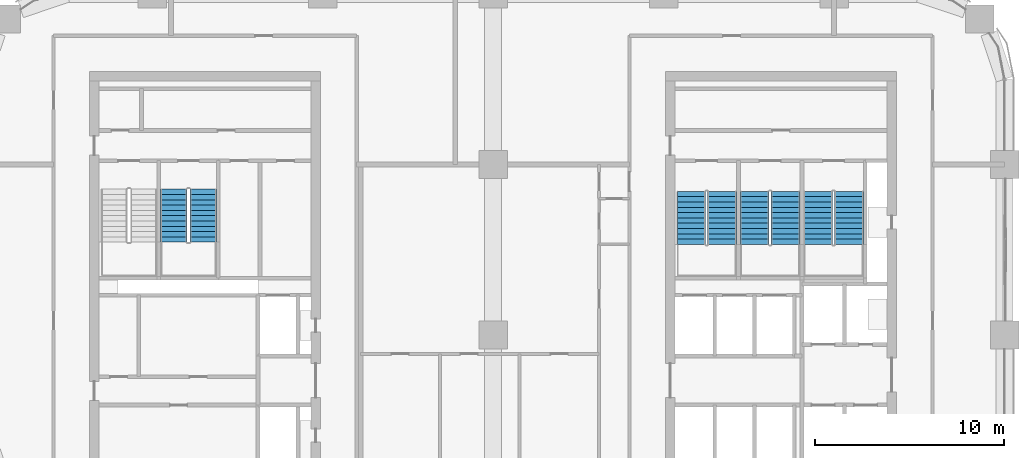
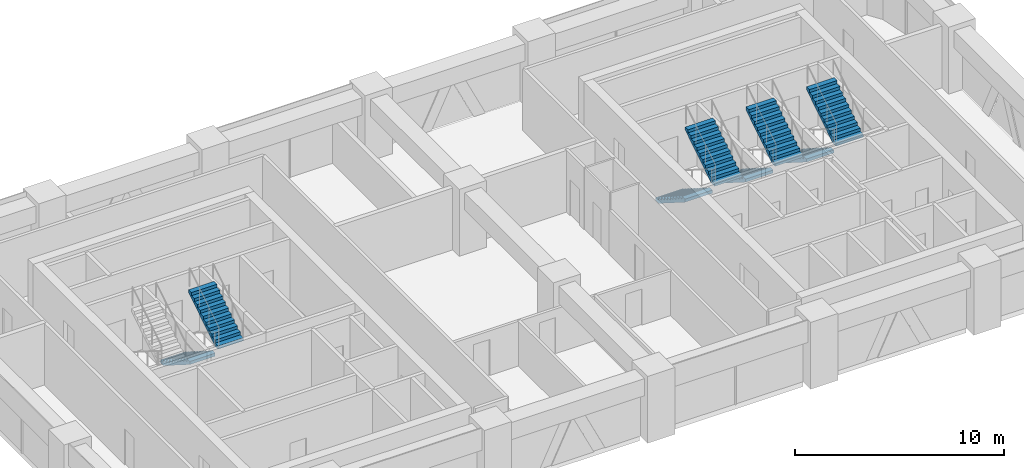
# One storey, part 12 of 19: 8 stair flights, 4 elements without a shape of their own.
"""IFC4 building model written with IfcOpenShell, lengths in metres."""

from ifc_helpers import new_model, si_unit, direction, frame, origin, place, context, subcontext, project, spatial, polyline, outline, extrude, material, type_object, element, aggregate, save


model = new_model("IFC4")

# Units and contexts
model_context = context("Model", 3, precision=1e-05, world=origin(), true_north=direction((0.0, 1.0)))
body_context = subcontext(model_context, "Body", "Model", "MODEL_VIEW")
ifc_project = project(units=[si_unit("LENGTHUNIT", "METRE"), si_unit("AREAUNIT", "SQUARE_METRE"), si_unit("VOLUMEUNIT", "CUBIC_METRE"), si_unit("PLANEANGLEUNIT", "RADIAN"), si_unit("MASSUNIT", "GRAM", prefix="KILO")], contexts=[model_context])

# Site, building, storey
site_placement = place(None, origin())
site = spatial("IfcSite", under=ifc_project, at=site_placement, CompositionType="ELEMENT")
building_placement = place(site_placement, origin())
building = spatial("IfcBuilding", under=site, at=building_placement, Name="Tessera Arch", CompositionType="ELEMENT")
storey_placement = place(building_placement, frame((0.0, 0.0, 170.0)))
storey = spatial("IfcBuildingStorey", under=building, at=storey_placement, Name="L40", CompositionType="ELEMENT", Elevation=170.0)

# Stair, stair flights
ifc_material_1 = material(Name="Concrete C40/50", Category="concrete")
stair_type_1 = type_object("IfcStairType", Name="Dogleg stair 1400", PredefinedType="HALF_TURN_STAIR", material=ifc_material_1)
stair_1_placement = place(storey_placement, origin())
stair_1 = element("IfcStair", 1, at=stair_1_placement, inside=storey, type_object=stair_type_1, Name="L40 S2b", PredefinedType="HALF_TURN_STAIR")
ifc_material_2 = material(Name="Concrete C40/50", Category="concrete")
stair_flight_type_1 = type_object("IfcStairFlightType", Name="Stair flight 1400", PredefinedType="STRAIGHT", material=ifc_material_2)
stair_flight_1_placement = place(storey_placement, frame((10.14990234375, 43.699951171875, 0.0), z_axis=(0.0, 0.0, 1.0), x_axis=(0.0, -1.0, 0.0)))
stair_flight_1 = element("IfcStairFlight", 2, at=stair_flight_1_placement, type_object=stair_flight_type_1, Name="S2b flight 1", NumberOfRisers=11, NumberOfTreads=10, PredefinedType="STRAIGHT", RiserHeight=0.177272727, TreadLength=0.28, context=body_context, shape_type="SweptSolid", body=[
    extrude(outline(polyline([(0.0, 0.0), (0.0, 0.17724609375), (0.280029296875, 0.17724609375), (0.280029296875, 0.3544921875), (0.56005859375, 0.3544921875), (0.56005859375, 0.53173828125), (0.840087890625, 0.53173828125), (0.840087890625, 0.708984375), (1.1201171875, 0.708984375), (1.1201171875, 0.886474609375), (1.39990234375, 0.886474609375), (1.39990234375, 1.063720703125), (1.679931640625, 1.063720703125), (1.679931640625, 1.240966796875), (1.9599609375, 1.240966796875), (1.9599609375, 1.418212890625), (2.239990234375, 1.418212890625), (2.239990234375, 1.595458984375), (2.52001953125, 1.595458984375), (2.52001953125, 1.772705078125), (2.800048828125, 1.772705078125), (2.800048828125, 1.949951171875), (2.800048828125, 1.59521484375), (0.2802734375, 0.0), (0.0, 0.0)])), frame((0.0, 0.699951171875, 0.0), z_axis=(0.0, -1.0, 0.0), x_axis=(1.0, 0.0, 0.0)), (0.0, 0.0, 1.0), 1.39990234375),
])
stair_flight_2_placement = place(storey_placement, frame((11.699951171875, 40.89990234375, 1.949951171875), z_axis=(0.0, 0.0, 1.0), x_axis=(0.0, 1.0, 0.0)))
stair_flight_2 = element("IfcStairFlight", 3, at=stair_flight_2_placement, type_object=stair_flight_type_1, Name="S2b flight 2", NumberOfRisers=11, NumberOfTreads=10, PredefinedType="STRAIGHT", RiserHeight=0.177272727, TreadLength=0.28, context=body_context, shape_type="SweptSolid", body=[
    extrude(outline(polyline([(0.0, 0.0), (0.0, 0.17724609375), (0.280029296875, 0.17724609375), (0.280029296875, 0.3544921875), (0.56005859375, 0.3544921875), (0.56005859375, 0.53173828125), (0.840087890625, 0.53173828125), (0.840087890625, 0.708984375), (1.1201171875, 0.708984375), (1.1201171875, 0.886474609375), (1.39990234375, 0.886474609375), (1.39990234375, 1.063720703125), (1.679931640625, 1.063720703125), (1.679931640625, 1.240966796875), (1.9599609375, 1.240966796875), (1.9599609375, 1.418212890625), (2.239990234375, 1.418212890625), (2.239990234375, 1.595458984375), (2.52001953125, 1.595458984375), (2.52001953125, 1.772705078125), (2.800048828125, 1.772705078125), (2.800048828125, 1.949951171875), (2.800048828125, 1.59521484375), (0.2802734375, 0.0), (0.0, 0.0)])), frame((0.0, 0.699951171875, 0.0), z_axis=(0.0, -1.0, 0.0), x_axis=(1.0, 0.0, 0.0)), (0.0, 0.0, 1.0), 1.39990234375),
])
aggregate(stair_1, [stair_flight_1, stair_flight_2])

ifc_material_3 = material(Name="Concrete C40/50", Category="concrete")
stair_type_2 = type_object("IfcStairType", Name="Dogleg stair 1520", PredefinedType="HALF_TURN_STAIR", material=ifc_material_3)
stair_2_placement = place(storey_placement, origin())
stair_2 = element("IfcStair", 4, at=stair_2_placement, inside=storey, type_object=stair_type_2, Name="L40 S1a", PredefinedType="HALF_TURN_STAIR")
ifc_material_4 = material(Name="Concrete C40/50", Category="concrete")
stair_flight_type_2 = type_object("IfcStairFlightType", Name="Stair flight 1520", PredefinedType="STRAIGHT", material=ifc_material_4)
stair_flight_3_placement = place(storey_placement, frame((37.4599609375, 43.580078125, 0.0), z_axis=(0.0, 0.0, 1.0), x_axis=(0.0, -1.0, 0.0)))
stair_flight_3 = element("IfcStairFlight", 5, at=stair_flight_3_placement, type_object=stair_flight_type_2, Name="S1a flight 1", NumberOfRisers=11, NumberOfTreads=10, PredefinedType="STRAIGHT", RiserHeight=0.177272727, TreadLength=0.28, context=body_context, shape_type="SweptSolid", body=[
    extrude(outline(polyline([(0.0, 0.0), (0.0, 0.17724609375), (0.280029296875, 0.17724609375), (0.280029296875, 0.3544921875), (0.56005859375, 0.3544921875), (0.56005859375, 0.53173828125), (0.840087890625, 0.53173828125), (0.840087890625, 0.708984375), (1.1201171875, 0.708984375), (1.1201171875, 0.886474609375), (1.39990234375, 0.886474609375), (1.39990234375, 1.063720703125), (1.679931640625, 1.063720703125), (1.679931640625, 1.240966796875), (1.9599609375, 1.240966796875), (1.9599609375, 1.418212890625), (2.239990234375, 1.418212890625), (2.239990234375, 1.595458984375), (2.52001953125, 1.595458984375), (2.52001953125, 1.772705078125), (2.800048828125, 1.772705078125), (2.800048828125, 1.949951171875), (2.800048828125, 1.59521484375), (0.2802734375, 0.0), (0.0, 0.0)])), frame((0.0, 0.760009765625, 0.0), z_axis=(0.0, -1.0, 0.0), x_axis=(1.0, 0.0, 0.0)), (0.0, 0.0, 1.0), 1.52001953125),
])
stair_flight_4_placement = place(storey_placement, frame((39.090087890625, 40.780029296875, 1.949951171875), z_axis=(0.0, 0.0, 1.0), x_axis=(0.0, 1.0, 0.0)))
stair_flight_4 = element("IfcStairFlight", 6, at=stair_flight_4_placement, type_object=stair_flight_type_2, Name="S1a flight 2", NumberOfRisers=11, NumberOfTreads=10, PredefinedType="STRAIGHT", RiserHeight=0.177272727, TreadLength=0.28, context=body_context, shape_type="SweptSolid", body=[
    extrude(outline(polyline([(0.0, 0.0), (0.0, 0.17724609375), (0.280029296875, 0.17724609375), (0.280029296875, 0.3544921875), (0.56005859375, 0.3544921875), (0.56005859375, 0.53173828125), (0.840087890625, 0.53173828125), (0.840087890625, 0.708984375), (1.1201171875, 0.708984375), (1.1201171875, 0.886474609375), (1.39990234375, 0.886474609375), (1.39990234375, 1.063720703125), (1.679931640625, 1.063720703125), (1.679931640625, 1.240966796875), (1.9599609375, 1.240966796875), (1.9599609375, 1.418212890625), (2.239990234375, 1.418212890625), (2.239990234375, 1.595458984375), (2.52001953125, 1.595458984375), (2.52001953125, 1.772705078125), (2.800048828125, 1.772705078125), (2.800048828125, 1.949951171875), (2.800048828125, 1.59521484375), (0.2802734375, 0.0), (0.0, 0.0)])), frame((0.0, 0.760009765625, 0.0), z_axis=(0.0, -1.0, 0.0), x_axis=(1.0, 0.0, 0.0)), (0.0, 0.0, 1.0), 1.52001953125),
])
aggregate(stair_2, [stair_flight_3, stair_flight_4])

stair_3_placement = place(storey_placement, origin())
stair_3 = element("IfcStair", 7, at=stair_3_placement, inside=storey, type_object=stair_type_2, Name="L40 S1b", PredefinedType="HALF_TURN_STAIR")
stair_flight_5_placement = place(storey_placement, frame((40.81005859375, 43.580078125, 0.0), z_axis=(0.0, 0.0, 1.0), x_axis=(0.0, -1.0, 0.0)))
stair_flight_5 = element("IfcStairFlight", 8, at=stair_flight_5_placement, type_object=stair_flight_type_2, Name="S1b flight 1", NumberOfRisers=11, NumberOfTreads=10, PredefinedType="STRAIGHT", RiserHeight=0.177272727, TreadLength=0.28, context=body_context, shape_type="SweptSolid", body=[
    extrude(outline(polyline([(0.0, 0.0), (0.0, 0.17724609375), (0.280029296875, 0.17724609375), (0.280029296875, 0.3544921875), (0.56005859375, 0.3544921875), (0.56005859375, 0.53173828125), (0.840087890625, 0.53173828125), (0.840087890625, 0.708984375), (1.1201171875, 0.708984375), (1.1201171875, 0.886474609375), (1.39990234375, 0.886474609375), (1.39990234375, 1.063720703125), (1.679931640625, 1.063720703125), (1.679931640625, 1.240966796875), (1.9599609375, 1.240966796875), (1.9599609375, 1.418212890625), (2.239990234375, 1.418212890625), (2.239990234375, 1.595458984375), (2.52001953125, 1.595458984375), (2.52001953125, 1.772705078125), (2.800048828125, 1.772705078125), (2.800048828125, 1.949951171875), (2.800048828125, 1.59521484375), (0.2802734375, 0.0), (0.0, 0.0)])), frame((0.0, 0.760009765625, 0.0), z_axis=(0.0, -1.0, 0.0), x_axis=(1.0, 0.0, 0.0)), (0.0, 0.0, 1.0), 1.52001953125),
])
stair_flight_6_placement = place(storey_placement, frame((42.43994140625, 40.780029296875, 1.949951171875), z_axis=(0.0, 0.0, 1.0), x_axis=(0.0, 1.0, 0.0)))
stair_flight_6 = element("IfcStairFlight", 9, at=stair_flight_6_placement, type_object=stair_flight_type_2, Name="S1b flight 2", NumberOfRisers=11, NumberOfTreads=10, PredefinedType="STRAIGHT", RiserHeight=0.177272727, TreadLength=0.28, context=body_context, shape_type="SweptSolid", body=[
    extrude(outline(polyline([(0.0, 0.0), (0.0, 0.17724609375), (0.280029296875, 0.17724609375), (0.280029296875, 0.3544921875), (0.56005859375, 0.3544921875), (0.56005859375, 0.53173828125), (0.840087890625, 0.53173828125), (0.840087890625, 0.708984375), (1.1201171875, 0.708984375), (1.1201171875, 0.886474609375), (1.39990234375, 0.886474609375), (1.39990234375, 1.063720703125), (1.679931640625, 1.063720703125), (1.679931640625, 1.240966796875), (1.9599609375, 1.240966796875), (1.9599609375, 1.418212890625), (2.239990234375, 1.418212890625), (2.239990234375, 1.595458984375), (2.52001953125, 1.595458984375), (2.52001953125, 1.772705078125), (2.800048828125, 1.772705078125), (2.800048828125, 1.949951171875), (2.800048828125, 1.59521484375), (0.2802734375, 0.0), (0.0, 0.0)])), frame((0.0, 0.760009765625, 0.0), z_axis=(0.0, -1.0, 0.0), x_axis=(1.0, 0.0, 0.0)), (0.0, 0.0, 1.0), 1.52001953125),
])
aggregate(stair_3, [stair_flight_5, stair_flight_6])

stair_4_placement = place(storey_placement, origin())
stair_4 = element("IfcStair", 10, at=stair_4_placement, inside=storey, type_object=stair_type_2, Name="L40 S1c", PredefinedType="HALF_TURN_STAIR")
stair_flight_7_placement = place(storey_placement, frame((44.159912109375, 43.580078125, 0.0), z_axis=(0.0, 0.0, 1.0), x_axis=(0.0, -1.0, 0.0)))
stair_flight_7 = element("IfcStairFlight", 11, at=stair_flight_7_placement, type_object=stair_flight_type_2, Name="S1c flight 1", NumberOfRisers=11, NumberOfTreads=10, PredefinedType="STRAIGHT", RiserHeight=0.177272727, TreadLength=0.28, context=body_context, shape_type="SweptSolid", body=[
    extrude(outline(polyline([(0.0, 0.0), (0.0, 0.17724609375), (0.280029296875, 0.17724609375), (0.280029296875, 0.3544921875), (0.56005859375, 0.3544921875), (0.56005859375, 0.53173828125), (0.840087890625, 0.53173828125), (0.840087890625, 0.708984375), (1.1201171875, 0.708984375), (1.1201171875, 0.886474609375), (1.39990234375, 0.886474609375), (1.39990234375, 1.063720703125), (1.679931640625, 1.063720703125), (1.679931640625, 1.240966796875), (1.9599609375, 1.240966796875), (1.9599609375, 1.418212890625), (2.239990234375, 1.418212890625), (2.239990234375, 1.595458984375), (2.52001953125, 1.595458984375), (2.52001953125, 1.772705078125), (2.800048828125, 1.772705078125), (2.800048828125, 1.949951171875), (2.800048828125, 1.59521484375), (0.2802734375, 0.0), (0.0, 0.0)])), frame((0.0, 0.760009765625, 0.0), z_axis=(0.0, -1.0, 0.0), x_axis=(1.0, 0.0, 0.0)), (0.0, 0.0, 1.0), 1.52001953125),
])
stair_flight_8_placement = place(storey_placement, frame((45.7900390625, 40.780029296875, 1.949951171875), z_axis=(0.0, 0.0, 1.0), x_axis=(0.0, 1.0, 0.0)))
stair_flight_8 = element("IfcStairFlight", 12, at=stair_flight_8_placement, type_object=stair_flight_type_2, Name="S1c flight 2", NumberOfRisers=11, NumberOfTreads=10, PredefinedType="STRAIGHT", RiserHeight=0.177272727, TreadLength=0.28, context=body_context, shape_type="SweptSolid", body=[
    extrude(outline(polyline([(0.0, 0.0), (0.0, 0.17724609375), (0.280029296875, 0.17724609375), (0.280029296875, 0.3544921875), (0.56005859375, 0.3544921875), (0.56005859375, 0.53173828125), (0.840087890625, 0.53173828125), (0.840087890625, 0.708984375), (1.1201171875, 0.708984375), (1.1201171875, 0.886474609375), (1.39990234375, 0.886474609375), (1.39990234375, 1.063720703125), (1.679931640625, 1.063720703125), (1.679931640625, 1.240966796875), (1.9599609375, 1.240966796875), (1.9599609375, 1.418212890625), (2.239990234375, 1.418212890625), (2.239990234375, 1.595458984375), (2.52001953125, 1.595458984375), (2.52001953125, 1.772705078125), (2.800048828125, 1.772705078125), (2.800048828125, 1.949951171875), (2.800048828125, 1.59521484375), (0.2802734375, 0.0), (0.0, 0.0)])), frame((0.0, 0.760009765625, 0.0), z_axis=(0.0, -1.0, 0.0), x_axis=(1.0, 0.0, 0.0)), (0.0, 0.0, 1.0), 1.52001953125),
])
aggregate(stair_4, [stair_flight_7, stair_flight_8])

save(model, "model.ifc")
